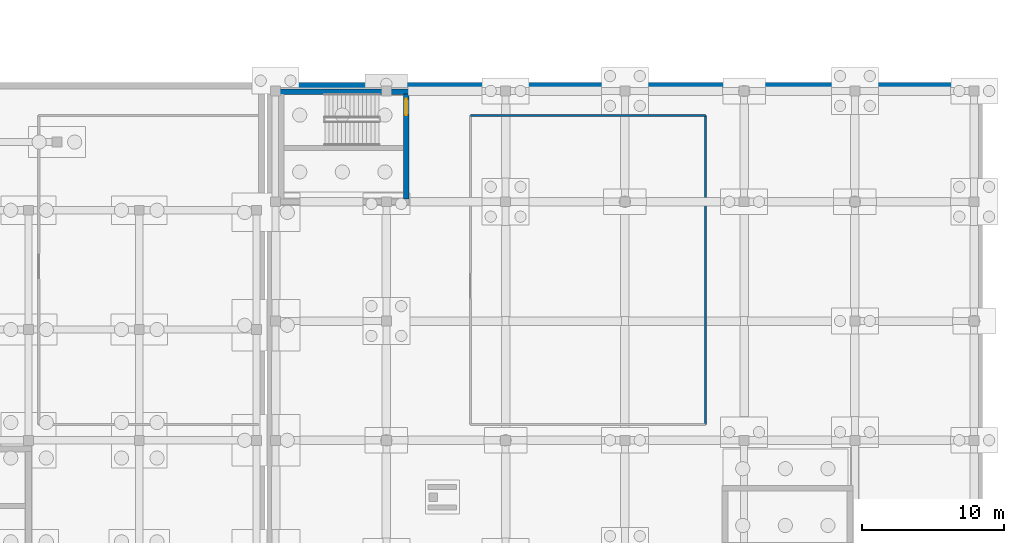
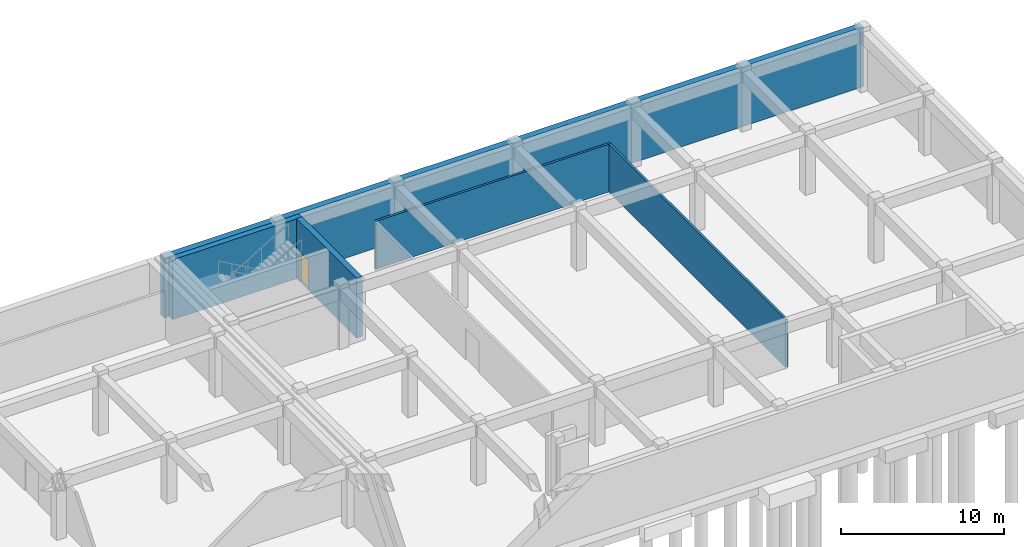
# One storey, part 25 of 35: 5 walls, 1 door, 1 opening.
"""IFC4 building model written with IfcOpenShell, lengths in metres."""

from ifc_helpers import new_model, si_unit, direction, frame, frame_2d, origin, place, context, subcontext, project, spatial, rectangle, extrude, material, layer, layer_set, type_object, element, fill, save


model = new_model("IFC4")

# Units and contexts
model_context = context("Model", 3, precision=1e-05, world=origin(), true_north=direction((0.0, 1.0)))
body_context = subcontext(model_context, "Body", "Model", "MODEL_VIEW")
ifc_project = project(units=[si_unit("LENGTHUNIT", "METRE"), si_unit("AREAUNIT", "SQUARE_METRE"), si_unit("VOLUMEUNIT", "CUBIC_METRE"), si_unit("PLANEANGLEUNIT", "RADIAN"), si_unit("MASSUNIT", "GRAM", prefix="KILO")], contexts=[model_context])

# Site, building, storey
site_placement = place(None, origin())
site = spatial("IfcSite", under=ifc_project, at=site_placement, CompositionType="ELEMENT")
building_placement = place(site_placement, origin())
building = spatial("IfcBuilding", under=site, at=building_placement, Name="Zayran Congress Hotel", CompositionType="ELEMENT")
storey_placement = place(building_placement, frame((0.0, 0.0, -4.800048828125)))
storey = spatial("IfcBuildingStorey", under=building, at=storey_placement, Name="B1", CompositionType="ELEMENT", Elevation=-4.800048828125)

# Walls
ifc_material_1 = material(Name="Concrete C32/40", Category="concrete")
ifc_layer_1 = layer(ifc_material_1, 0.449951171875)
ifc_layer_set_1 = layer_set([ifc_layer_1], Name="Concrete C32/40")
wall_type_1 = type_object("IfcWallType", Name="WL-RT-450", PredefinedType="USERDEFINED", material=ifc_layer_set_1)
wall_1_placement = place(storey_placement, frame((143.25, 117.77490234375, 0.0), z_axis=(0.0, 0.0, 1.0), x_axis=(1.0, 0.0, 0.0)))
element("IfcWall", 1, at=wall_1_placement, inside=storey, type_object=wall_type_1, Name="B1-V2-RW-N", ObjectType="RETAININGWALL", PredefinedType="USERDEFINED", context=body_context, shape_type="SweptSolid", body=[
    extrude(rectangle(XDim=49.5, YDim=0.449951171875, at=frame_2d((24.75, 0.0))), origin(), (0.0, 0.0, 1.0), 4.47998046875),
])
ifc_material_2 = material(Name="Concrete C40/50", Category="concrete")
ifc_layer_2 = layer(ifc_material_2, 0.39990234375)
ifc_layer_set_2 = layer_set([ifc_layer_2], Name="Concrete C40/50")
wall_type_2 = type_object("IfcWallType", Name="WL-SH-400", PredefinedType="SHEAR", material=ifc_layer_set_2)
wall_2_placement = place(storey_placement, frame((152.800048828125, 117.35009765625, 0.0), z_axis=(0.0, 0.0, 1.0), x_axis=(-1.0, 0.0, 0.0)))
element("IfcWall", 2, at=wall_2_placement, inside=storey, type_object=wall_type_2, Name="CWALL-C-V2W-B1-N", PredefinedType="SHEAR", context=body_context, shape_type="SweptSolid", body=[
    extrude(rectangle(XDim=9.199951171875, YDim=0.39990234375, at=frame_2d((4.60009765625, 0.0))), origin(), (0.0, 0.0, 1.0), 4.47998046875),
])

# Wall, opening, door
wall_3_placement = place(storey_placement, frame((152.60009765625, 109.800048828125, 0.0), z_axis=(0.0, 0.0, 1.0), x_axis=(0.0, 1.0, 0.0)))
wall_3 = element("IfcWall", 3, at=wall_3_placement, inside=storey, type_object=wall_type_2, Name="CWALL-C-V2W-B1-E", PredefinedType="SHEAR", context=body_context, shape_type="SweptSolid", body=[
    extrude(rectangle(XDim=7.39990234375, YDim=0.39990234375, at=frame_2d((3.699951171875, 0.0))), origin(), (0.0, 0.0, 1.0), 4.47998046875),
])
opening_placement = place(wall_3_placement, frame((5.89990234375, 0.0, 0.0)))
opening = element("IfcOpeningElement", 4, at=opening_placement, cuts=wall_3, Name="Opening DR-FD-90", PredefinedType="OPENING", context=body_context, shape_type="SweptSolid", body=[
    extrude(rectangle(XDim=1.14990234375, YDim=2.199951171875, at=frame_2d((0.574951171875, 1.10009765625))), frame((0.0, 0.2099609375, 0.0), z_axis=(0.0, -1.0, 0.0), x_axis=(1.0, 0.0, 0.0)), (0.0, 0.0, 1.0), 0.419921875),
])
ifc_material_3 = material(Name="Painted steel fire door assembly", Category="steel")
door_type = type_object("IfcDoorType", Name="TP-DR-FD-90", OperationType="NOTDEFINED", PredefinedType="DOOR", material=ifc_material_3)
door_placement = place(opening_placement, origin())
door = element("IfcDoor", 5, at=door_placement, inside=storey, type_object=door_type, Name="ST-09 Exit Stair Door B1", OperationType="SINGLE_SWING_RIGHT", OverallHeight=2.199951171875, OverallWidth=1.14990234375, PredefinedType="DOOR", context=body_context, shape_type="SweptSolid", body=[
    extrude(rectangle(XDim=1.14990234375, YDim=2.199951171875, at=frame_2d((0.574951171875, 1.10009765625))), frame((0.0, 0.02490234375, 0.0), z_axis=(0.0, -1.0, 0.0), x_axis=(1.0, 0.0, 0.0)), (0.0, 0.0, 1.0), 0.050048828125),
])
fill(opening, door)

# Walls
ifc_material_4 = material(Name="Acoustic twin-stud gypsum partition", Category="gypsum")
ifc_layer_3 = layer(ifc_material_4, 0.159912109375)
ifc_layer_set_3 = layer_set([ifc_layer_3], Name="Acoustic twin-stud gypsum partition")
wall_type_3 = type_object("IfcWallType", Name="WL-PT-160", PredefinedType="PARTITIONING", material=ifc_layer_set_3)
wall_4_placement = place(storey_placement, frame((157.1201171875, 115.679931640625, 0.0), z_axis=(0.0, 0.0, 1.0), x_axis=(1.0, 0.0, 0.0)))
element("IfcWall", 6, at=wall_4_placement, inside=storey, type_object=wall_type_3, Name="IW-B1-1643", PredefinedType="PARTITIONING", context=body_context, shape_type="SweptSolid", body=[
    extrude(rectangle(XDim=16.559814453125, YDim=0.159912109375, at=frame_2d((8.27978515625, 0.0))), origin(), (0.0, 0.0, 1.0), 3.580078125),
])
wall_5_placement = place(storey_placement, frame((173.679931640625, 93.919921875, 0.0), z_axis=(0.0, 0.0, 1.0), x_axis=(0.0, 1.0, 0.0)))
element("IfcWall", 7, at=wall_5_placement, inside=storey, type_object=wall_type_3, Name="IW-B1-1644", PredefinedType="PARTITIONING", context=body_context, shape_type="SweptSolid", body=[
    extrude(rectangle(XDim=21.760009765625, YDim=0.159912109375, at=frame_2d((10.8798828125, 0.0))), origin(), (0.0, 0.0, 1.0), 3.580078125),
])

save(model, "model.ifc")
